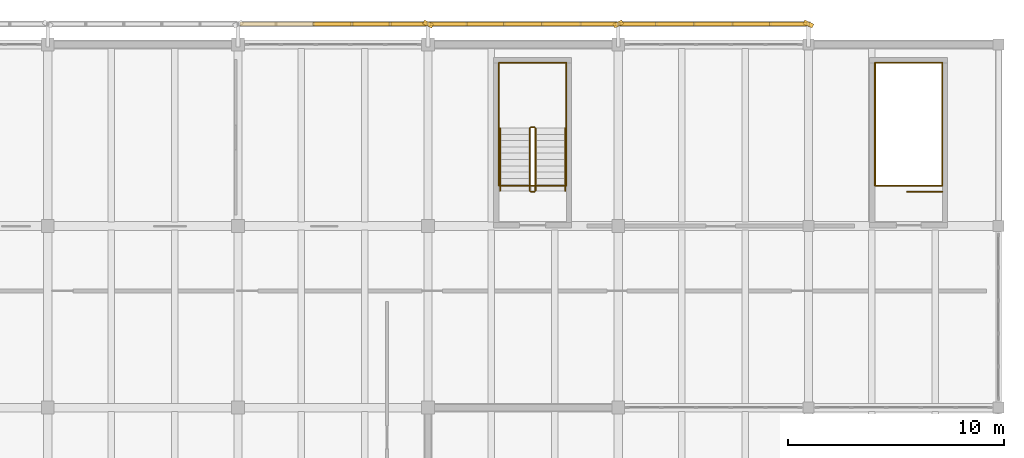
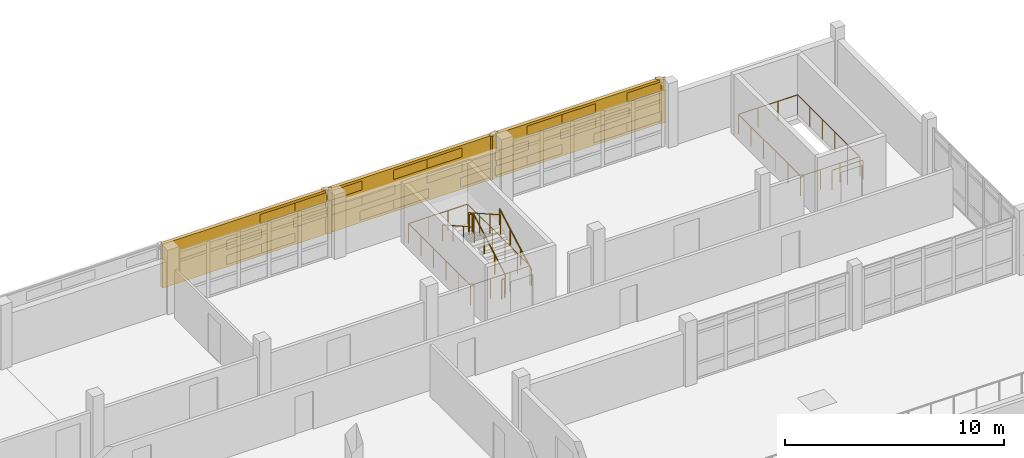
# One storey, part 50 of 50: 29 coverings, 15 railings, 3 shading devices.
"""IFC4 building model written with IfcOpenShell, lengths in metres."""

from ifc_helpers import new_model, si_unit, direction, frame, origin, origin_2d, place, context, subcontext, project, spatial, rectangle, circle, extrude, material, layer, layer_set, type_object, element, save


model = new_model("IFC4")

# Units and contexts
model_context = context("Model", 3, precision=1e-05, world=origin(), true_north=direction((0.0, 1.0)))
body_context = subcontext(model_context, "Body", "Model", "MODEL_VIEW")
ifc_project = project(units=[si_unit("LENGTHUNIT", "METRE"), si_unit("AREAUNIT", "SQUARE_METRE"), si_unit("VOLUMEUNIT", "CUBIC_METRE"), si_unit("PLANEANGLEUNIT", "RADIAN"), si_unit("MASSUNIT", "GRAM", prefix="KILO")], contexts=[model_context])

# Site, building, storey
site_placement = place(None, origin())
site = spatial("IfcSite", under=ifc_project, at=site_placement, CompositionType="ELEMENT")
building_placement = place(site_placement, origin())
building = spatial("IfcBuilding", under=site, at=building_placement, Name="Cinderway Yard Community Centre", CompositionType="ELEMENT")
storey_placement = place(building_placement, frame((0.0, 0.0, 12.89990234375)))
storey = spatial("IfcBuildingStorey", under=building, at=storey_placement, Name="L03", CompositionType="ELEMENT", Elevation=12.89990234375)

# Coverings
ifc_material_1 = material(Name="Brick Masonry", Category="masonry")
ifc_layer = layer(ifc_material_1, 0.18994140625, Name="Brick Masonry")
ifc_layer_set = layer_set([ifc_layer], Name="Brick Masonry")
covering_type = type_object("IfcCoveringType", Name="ENV-COV-BRK-SCREEN", PredefinedType="CLADDING", material=ifc_layer_set)
for number, where, z_axis, x_axis, name in (
    (1, (110.39990234375, 116.14990234375, 0.64990234375), (0.0, 0.0, 1.0), (0.913545457643, -0.406736643076, 0.0), "Deconstructivist folded brick fin 0263"),
    (2, (119.199951171875, 116.14990234375, 0.64990234375), (0.0, 0.0, 1.0), (0.913545457643, 0.406736643076, 0.0), "Deconstructivist folded brick fin 0264"),
    (3, (128.0, 116.14990234375, 0.64990234375), (0.0, 0.0, 1.0), (0.913545457643, -0.406736643076, 0.0), "Deconstructivist folded brick fin 0265"),
):
    element("IfcCovering", number, at=place(storey_placement, frame(where, z_axis=z_axis, x_axis=x_axis)), inside=storey, type_object=covering_type, Name=name, PredefinedType="CLADDING", context=body_context, shape_type="SweptSolid", body=[
        extrude(rectangle(XDim=0.4599609375, YDim=0.199951171875, at=origin_2d()), origin(), (0.0, 0.0, 1.0), 2.449951171875),
    ])
for number, where, z_axis, x_axis, name in (
    (4, (106.0, 116.14990234375, 0.7900390625), (0.0, 0.0, 1.0), (1.0, 0.0, 0.0), "Open-bond perforated brick screen course 00327"),
    (5, (107.760009765625, 116.14990234375, 0.7900390625), (0.0, 0.0, 1.0), (1.0, 0.0, 0.0), "Open-bond perforated brick screen course 00328"),
    (6, (106.0, 116.14990234375, 1.62109375), (0.0, 0.0, 1.0), (1.0, 0.0, 0.0), "Open-bond perforated brick screen course 00330"),
    (7, (109.52001953125, 116.14990234375, 1.62109375), (0.0, 0.0, 1.0), (1.0, 0.0, 0.0), "Open-bond perforated brick screen course 00331"),
    (8, (107.760009765625, 116.14990234375, 2.4521484375), (0.0, 0.0, 1.0), (1.0, 0.0, 0.0), "Open-bond perforated brick screen course 00334"),
    (9, (109.52001953125, 116.14990234375, 2.4521484375), (0.0, 0.0, 1.0), (1.0, 0.0, 0.0), "Open-bond perforated brick screen course 00335"),
    (10, (113.0400390625, 116.14990234375, 0.7900390625), (0.0, 0.0, 1.0), (1.0, 0.0, 0.0), "Open-bond perforated brick screen course 00336"),
    (11, (114.800048828125, 116.14990234375, 0.7900390625), (0.0, 0.0, 1.0), (1.0, 0.0, 0.0), "Open-bond perforated brick screen course 00337"),
    (12, (118.320068359375, 116.14990234375, 0.7900390625), (0.0, 0.0, 1.0), (1.0, 0.0, 0.0), "Open-bond perforated brick screen course 00338"),
    (13, (111.280029296875, 116.14990234375, 1.62109375), (0.0, 0.0, 1.0), (1.0, 0.0, 0.0), "Open-bond perforated brick screen course 00339"),
    (14, (113.0400390625, 116.14990234375, 1.62109375), (0.0, 0.0, 1.0), (1.0, 0.0, 0.0), "Open-bond perforated brick screen course 00340"),
    (15, (116.56005859375, 116.14990234375, 1.62109375), (0.0, 0.0, 1.0), (1.0, 0.0, 0.0), "Open-bond perforated brick screen course 00341"),
    (16, (118.320068359375, 116.14990234375, 1.62109375), (0.0, 0.0, 1.0), (1.0, 0.0, 0.0), "Open-bond perforated brick screen course 00342"),
    (17, (111.280029296875, 116.14990234375, 2.4521484375), (0.0, 0.0, 1.0), (1.0, 0.0, 0.0), "Open-bond perforated brick screen course 00343"),
    (18, (114.800048828125, 116.14990234375, 2.4521484375), (0.0, 0.0, 1.0), (1.0, 0.0, 0.0), "Open-bond perforated brick screen course 00344"),
    (19, (116.56005859375, 116.14990234375, 2.4521484375), (0.0, 0.0, 1.0), (1.0, 0.0, 0.0), "Open-bond perforated brick screen course 00345"),
    (20, (120.080078125, 116.14990234375, 0.7900390625), (0.0, 0.0, 1.0), (1.0, 0.0, 0.0), "Open-bond perforated brick screen course 00346"),
    (21, (121.840087890625, 116.14990234375, 0.7900390625), (0.0, 0.0, 1.0), (1.0, 0.0, 0.0), "Open-bond perforated brick screen course 00347"),
    (22, (125.360107421875, 116.14990234375, 0.7900390625), (0.0, 0.0, 1.0), (1.0, 0.0, 0.0), "Open-bond perforated brick screen course 00348"),
    (23, (127.1201171875, 116.14990234375, 0.7900390625), (0.0, 0.0, 1.0), (1.0, 0.0, 0.0), "Open-bond perforated brick screen course 00349"),
    (24, (120.080078125, 116.14990234375, 1.62109375), (0.0, 0.0, 1.0), (1.0, 0.0, 0.0), "Open-bond perforated brick screen course 00350"),
    (25, (123.60009765625, 116.14990234375, 1.62109375), (0.0, 0.0, 1.0), (1.0, 0.0, 0.0), "Open-bond perforated brick screen course 00351"),
    (26, (125.360107421875, 116.14990234375, 1.62109375), (0.0, 0.0, 1.0), (1.0, 0.0, 0.0), "Open-bond perforated brick screen course 00352"),
    (27, (121.840087890625, 116.14990234375, 2.4521484375), (0.0, 0.0, 1.0), (1.0, 0.0, 0.0), "Open-bond perforated brick screen course 00353"),
    (28, (123.60009765625, 116.14990234375, 2.4521484375), (0.0, 0.0, 1.0), (1.0, 0.0, 0.0), "Open-bond perforated brick screen course 00354"),
    (29, (127.1201171875, 116.14990234375, 2.4521484375), (0.0, 0.0, 1.0), (1.0, 0.0, 0.0), "Open-bond perforated brick screen course 00355"),
):
    element("IfcCovering", number, at=place(storey_placement, frame(where, z_axis=z_axis, x_axis=x_axis)), inside=storey, type_object=covering_type, Name=name, PredefinedType="CLADDING", context=body_context, shape_type="SweptSolid", body=[
        extrude(rectangle(XDim=1.840087890625, YDim=0.18994140625, at=origin_2d()), origin(), (0.0, 0.0, 1.0), 0.508056640625),
    ])

# Shading devices
shading_device_type = type_object("IfcShadingDeviceType", Name="ENV-SHD-BRICKSCREEN-A", PredefinedType="USERDEFINED", material=ifc_material_1)
for number, where, z_axis, x_axis, name in (
    (30, (106.0, 116.14990234375, 0.64990234375), (0.0, 0.0, 1.0), (1.0, 0.0, 0.0), "Street Perforated Brick Screen 0243"),
    (31, (114.800048828125, 116.14990234375, 0.64990234375), (0.0, 0.0, 1.0), (1.0, 0.0, 0.0), "Street Perforated Brick Screen 0251"),
    (32, (123.60009765625, 116.14990234375, 0.64990234375), (0.0, 0.0, 1.0), (1.0, 0.0, 0.0), "Street Perforated Brick Screen 0259"),
):
    element("IfcShadingDevice", number, at=place(storey_placement, frame(where, z_axis=z_axis, x_axis=x_axis)), inside=storey, type_object=shading_device_type, Name=name, ObjectType="PERFORATED BRICK SCREEN", PredefinedType="USERDEFINED", context=body_context, shape_type="SweptSolid", body=[
        extrude(rectangle(XDim=8.60009765625, YDim=0.18994140625, at=origin_2d()), origin(), (0.0, 0.0, 1.0), 2.449951171875),
    ])

# Railings
ifc_material_2 = material(Name="Painted Galvanised Steel", Category="steel")
railing_type_1 = type_object("IfcRailingType", Name="INT-RAL-GRD112", PredefinedType="GUARDRAIL", material=ifc_material_2)
railing_1_placement = place(storey_placement, frame((115.3701171875, 108.429931640625, 0.163818359375)))
element("IfcRailing", 33, at=railing_1_placement, inside=storey, type_object=railing_type_1, Name="L03 ST-03 stair guard 1", PredefinedType="GUARDRAIL", context=body_context, shape_type="SweptSolid", body=[
    extrude(circle(Radius=0.02392578125, at=origin_2d()), frame((0.0, 0.0, 1.076171875), z_axis=(0.0, 0.870946286338, 0.49137823142), x_axis=(-1.0, 0.0, 0.0)), (0.0, 0.0, 1.0), 3.329833984375),
    extrude(circle(Radius=0.02099609375, at=origin_2d()), origin(), (0.0, 0.0, 1.0), 1.052001953125),
    extrude(circle(Radius=0.02099609375, at=origin_2d()), frame((0.0, 0.966796875, 0.54541015625)), (0.0, 0.0, 1.0), 1.052001953125),
    extrude(circle(Radius=0.02099609375, at=origin_2d()), frame((0.0, 1.933349609375, 1.0908203125)), (0.0, 0.0, 1.0), 1.052001953125),
    extrude(circle(Radius=0.02099609375, at=origin_2d()), frame((0.0, 2.900146484375, 1.63623046875)), (0.0, 0.0, 1.0), 1.052001953125),
])
railing_2_placement = place(storey_placement, frame((115.320068359375, 111.3798828125, 1.800048828125)))
element("IfcRailing", 34, at=railing_2_placement, inside=storey, type_object=railing_type_1, Name="L03 ST-03 stair guard 2", PredefinedType="GUARDRAIL", context=body_context, shape_type="SweptSolid", body=[
    extrude(circle(Radius=0.02392578125, at=origin_2d()), frame((0.0, 0.0, 1.076171875), z_axis=(-1.0, 0.0, 0.0), x_axis=(0.0, -1.0, 0.0)), (0.0, 0.0, 1.0), 0.16015625),
    extrude(circle(Radius=0.02099609375, at=origin_2d()), origin(), (0.0, 0.0, 1.0), 1.052001953125),
    extrude(circle(Radius=0.02099609375, at=origin_2d()), frame((-0.16015625, 0.0, 0.0)), (0.0, 0.0, 1.0), 1.052001953125),
])
railing_3_placement = place(storey_placement, frame((115.110107421875, 111.330078125, 1.963623046875)))
element("IfcRailing", 35, at=railing_3_placement, inside=storey, type_object=railing_type_1, Name="L03 ST-03 stair guard 3", PredefinedType="GUARDRAIL", context=body_context, shape_type="SweptSolid", body=[
    extrude(circle(Radius=0.02392578125, at=origin_2d()), frame((0.0, 0.0, 1.076171875), z_axis=(0.0, -0.870914908162, 0.491433843708), x_axis=(1.0, 0.0, 0.0)), (0.0, 0.0, 1.0), 3.330078125),
    extrude(circle(Radius=0.02099609375, at=origin_2d()), origin(), (0.0, 0.0, 1.0), 1.052001953125),
    extrude(circle(Radius=0.02099609375, at=origin_2d()), frame((0.0, -0.966796875, 0.54541015625)), (0.0, 0.0, 1.0), 1.052001953125),
    extrude(circle(Radius=0.02099609375, at=origin_2d()), frame((0.0, -1.933349609375, 1.091064453125)), (0.0, 0.0, 1.0), 1.052001953125),
    extrude(circle(Radius=0.02099609375, at=origin_2d()), frame((0.0, -2.900146484375, 1.636474609375)), (0.0, 0.0, 1.0), 1.052001953125),
])
railing_4_placement = place(storey_placement, frame((115.320068359375, 108.3798828125, 0.0)))
element("IfcRailing", 36, at=railing_4_placement, inside=storey, type_object=railing_type_1, Name="L03 ST-03 stair guard 4", PredefinedType="GUARDRAIL", context=body_context, shape_type="SweptSolid", body=[
    extrude(circle(Radius=0.02392578125, at=origin_2d()), frame((0.0, 0.0, 1.076171875), z_axis=(-1.0, 0.0, 0.0), x_axis=(0.0, -1.0, 0.0)), (0.0, 0.0, 1.0), 0.16015625),
    extrude(circle(Radius=0.02099609375, at=origin_2d()), origin(), (0.0, 0.0, 1.0), 1.052001953125),
    extrude(circle(Radius=0.02099609375, at=origin_2d()), frame((-0.16015625, 0.0, 0.0)), (0.0, 0.0, 1.0), 1.052001953125),
])
railing_5_placement = place(storey_placement, frame((134.199951171875, 108.3798828125, 0.0)))
element("IfcRailing", 37, at=railing_5_placement, inside=storey, type_object=railing_type_1, Name="L03 ST-04 top well guard 1", PredefinedType="GUARDRAIL", context=body_context, shape_type="SweptSolid", body=[
    extrude(circle(Radius=0.02392578125, at=origin_2d()), frame((0.0, 0.0, 1.076171875), z_axis=(-1.0, 0.0, 0.0), x_axis=(0.0, -1.0, 0.0)), (0.0, 0.0, 1.0), 1.639892578125),
    extrude(circle(Radius=0.02099609375, at=origin_2d()), origin(), (0.0, 0.0, 1.0), 1.052001953125),
    extrude(circle(Radius=0.02099609375, at=origin_2d()), frame((-0.81982421875, 0.0, 0.0)), (0.0, 0.0, 1.0), 1.052001953125),
    extrude(circle(Radius=0.02099609375, at=origin_2d()), frame((-1.639892578125, 0.0, 0.0)), (0.0, 0.0, 1.0), 1.052001953125),
])
railing_6_placement = place(storey_placement, frame((116.800048828125, 108.669921875, 0.0)))
element("IfcRailing", 38, at=railing_6_placement, inside=storey, type_object=railing_type_1, Name="Service void perimeter guard L03 183", PredefinedType="GUARDRAIL", context=body_context, shape_type="SweptSolid", body=[
    extrude(circle(Radius=0.02392578125, at=origin_2d()), frame((0.0, 0.0, 1.09619140625), z_axis=(0.0, 1.0, 0.0), x_axis=(-1.0, 0.0, 0.0)), (0.0, 0.0, 1.0), 5.68017578125),
    extrude(circle(Radius=0.02099609375, at=origin_2d()), origin(), (0.0, 0.0, 1.0), 1.072021484375),
    extrude(circle(Radius=0.02099609375, at=origin_2d()), frame((0.0, 1.135986328125, 0.0)), (0.0, 0.0, 1.0), 1.072021484375),
    extrude(circle(Radius=0.02099609375, at=origin_2d()), frame((0.0, 2.27197265625, 0.0)), (0.0, 0.0, 1.0), 1.072021484375),
    extrude(circle(Radius=0.02099609375, at=origin_2d()), frame((0.0, 3.408203125, 0.0)), (0.0, 0.0, 1.0), 1.072021484375),
    extrude(circle(Radius=0.02099609375, at=origin_2d()), frame((0.0, 4.544189453125, 0.0)), (0.0, 0.0, 1.0), 1.072021484375),
    extrude(circle(Radius=0.02099609375, at=origin_2d()), frame((0.0, 5.68017578125, 0.0)), (0.0, 0.0, 1.0), 1.072021484375),
])
railing_7_placement = place(storey_placement, frame((116.800048828125, 114.35009765625, 0.0)))
element("IfcRailing", 39, at=railing_7_placement, inside=storey, type_object=railing_type_1, Name="Service void perimeter guard L03 184", PredefinedType="GUARDRAIL", context=body_context, shape_type="SweptSolid", body=[
    extrude(circle(Radius=0.02392578125, at=origin_2d()), frame((0.0, 0.0, 1.09619140625), z_axis=(-1.0, 0.0, 0.0), x_axis=(0.0, -1.0, 0.0)), (0.0, 0.0, 1.0), 3.1201171875),
    extrude(circle(Radius=0.02099609375, at=origin_2d()), origin(), (0.0, 0.0, 1.0), 1.072021484375),
    extrude(circle(Radius=0.02099609375, at=origin_2d()), frame((-1.0400390625, 0.0, 0.0)), (0.0, 0.0, 1.0), 1.072021484375),
    extrude(circle(Radius=0.02099609375, at=origin_2d()), frame((-2.080078125, 0.0, 0.0)), (0.0, 0.0, 1.0), 1.072021484375),
    extrude(circle(Radius=0.02099609375, at=origin_2d()), frame((-3.1201171875, 0.0, 0.0)), (0.0, 0.0, 1.0), 1.072021484375),
])
railing_8_placement = place(storey_placement, frame((113.679931640625, 114.35009765625, 0.0)))
element("IfcRailing", 40, at=railing_8_placement, inside=storey, type_object=railing_type_1, Name="Service void perimeter guard L03 185", PredefinedType="GUARDRAIL", context=body_context, shape_type="SweptSolid", body=[
    extrude(circle(Radius=0.02392578125, at=origin_2d()), frame((0.0, 0.0, 1.09619140625), z_axis=(0.0, -1.0, 0.0), x_axis=(1.0, 0.0, 0.0)), (0.0, 0.0, 1.0), 5.68017578125),
    extrude(circle(Radius=0.02099609375, at=origin_2d()), origin(), (0.0, 0.0, 1.0), 1.072021484375),
    extrude(circle(Radius=0.02099609375, at=origin_2d()), frame((0.0, -1.135986328125, 0.0)), (0.0, 0.0, 1.0), 1.072021484375),
    extrude(circle(Radius=0.02099609375, at=origin_2d()), frame((0.0, -2.27197265625, 0.0)), (0.0, 0.0, 1.0), 1.072021484375),
    extrude(circle(Radius=0.02099609375, at=origin_2d()), frame((0.0, -3.408203125, 0.0)), (0.0, 0.0, 1.0), 1.072021484375),
    extrude(circle(Radius=0.02099609375, at=origin_2d()), frame((0.0, -4.544189453125, 0.0)), (0.0, 0.0, 1.0), 1.072021484375),
    extrude(circle(Radius=0.02099609375, at=origin_2d()), frame((0.0, -5.68017578125, 0.0)), (0.0, 0.0, 1.0), 1.072021484375),
])
railing_9_placement = place(storey_placement, frame((113.679931640625, 108.669921875, 0.0)))
element("IfcRailing", 41, at=railing_9_placement, inside=storey, type_object=railing_type_1, Name="Service void perimeter guard L03 186", PredefinedType="GUARDRAIL", context=body_context, shape_type="SweptSolid", body=[
    extrude(circle(Radius=0.02392578125, at=origin_2d()), frame((0.0, 0.0, 1.09619140625), z_axis=(1.0, 0.0, 0.0), x_axis=(0.0, 1.0, 0.0)), (0.0, 0.0, 1.0), 3.1201171875),
    extrude(circle(Radius=0.02099609375, at=origin_2d()), origin(), (0.0, 0.0, 1.0), 1.072021484375),
    extrude(circle(Radius=0.02099609375, at=origin_2d()), frame((1.0400390625, 0.0, 0.0)), (0.0, 0.0, 1.0), 1.072021484375),
    extrude(circle(Radius=0.02099609375, at=origin_2d()), frame((2.080078125, 0.0, 0.0)), (0.0, 0.0, 1.0), 1.072021484375),
    extrude(circle(Radius=0.02099609375, at=origin_2d()), frame((3.1201171875, 0.0, 0.0)), (0.0, 0.0, 1.0), 1.072021484375),
])
railing_10_placement = place(storey_placement, frame((134.199951171875, 108.669921875, 0.0)))
element("IfcRailing", 42, at=railing_10_placement, inside=storey, type_object=railing_type_1, Name="Service void perimeter guard L03 187", PredefinedType="GUARDRAIL", context=body_context, shape_type="SweptSolid", body=[
    extrude(circle(Radius=0.02392578125, at=origin_2d()), frame((0.0, 0.0, 1.09619140625), z_axis=(0.0, 1.0, 0.0), x_axis=(-1.0, 0.0, 0.0)), (0.0, 0.0, 1.0), 5.68017578125),
    extrude(circle(Radius=0.02099609375, at=origin_2d()), origin(), (0.0, 0.0, 1.0), 1.072021484375),
    extrude(circle(Radius=0.02099609375, at=origin_2d()), frame((0.0, 1.135986328125, 0.0)), (0.0, 0.0, 1.0), 1.072021484375),
    extrude(circle(Radius=0.02099609375, at=origin_2d()), frame((0.0, 2.27197265625, 0.0)), (0.0, 0.0, 1.0), 1.072021484375),
    extrude(circle(Radius=0.02099609375, at=origin_2d()), frame((0.0, 3.408203125, 0.0)), (0.0, 0.0, 1.0), 1.072021484375),
    extrude(circle(Radius=0.02099609375, at=origin_2d()), frame((0.0, 4.544189453125, 0.0)), (0.0, 0.0, 1.0), 1.072021484375),
    extrude(circle(Radius=0.02099609375, at=origin_2d()), frame((0.0, 5.68017578125, 0.0)), (0.0, 0.0, 1.0), 1.072021484375),
])
railing_11_placement = place(storey_placement, frame((134.199951171875, 114.35009765625, 0.0)))
element("IfcRailing", 43, at=railing_11_placement, inside=storey, type_object=railing_type_1, Name="Service void perimeter guard L03 188", PredefinedType="GUARDRAIL", context=body_context, shape_type="SweptSolid", body=[
    extrude(circle(Radius=0.02392578125, at=origin_2d()), frame((0.0, 0.0, 1.09619140625), z_axis=(-1.0, 0.0, 0.0), x_axis=(0.0, -1.0, 0.0)), (0.0, 0.0, 1.0), 3.119873046875),
    extrude(circle(Radius=0.02099609375, at=origin_2d()), origin(), (0.0, 0.0, 1.0), 1.072021484375),
    extrude(circle(Radius=0.02099609375, at=origin_2d()), frame((-1.0400390625, 0.0, 0.0)), (0.0, 0.0, 1.0), 1.072021484375),
    extrude(circle(Radius=0.02099609375, at=origin_2d()), frame((-2.079833984375, 0.0, 0.0)), (0.0, 0.0, 1.0), 1.072021484375),
    extrude(circle(Radius=0.02099609375, at=origin_2d()), frame((-3.119873046875, 0.0, 0.0)), (0.0, 0.0, 1.0), 1.072021484375),
])
railing_12_placement = place(storey_placement, frame((131.080078125, 114.35009765625, 0.0)))
element("IfcRailing", 44, at=railing_12_placement, inside=storey, type_object=railing_type_1, Name="Service void perimeter guard L03 189", PredefinedType="GUARDRAIL", context=body_context, shape_type="SweptSolid", body=[
    extrude(circle(Radius=0.02392578125, at=origin_2d()), frame((0.0, 0.0, 1.09619140625), z_axis=(0.0, -1.0, 0.0), x_axis=(1.0, 0.0, 0.0)), (0.0, 0.0, 1.0), 5.68017578125),
    extrude(circle(Radius=0.02099609375, at=origin_2d()), origin(), (0.0, 0.0, 1.0), 1.072021484375),
    extrude(circle(Radius=0.02099609375, at=origin_2d()), frame((0.0, -1.135986328125, 0.0)), (0.0, 0.0, 1.0), 1.072021484375),
    extrude(circle(Radius=0.02099609375, at=origin_2d()), frame((0.0, -2.27197265625, 0.0)), (0.0, 0.0, 1.0), 1.072021484375),
    extrude(circle(Radius=0.02099609375, at=origin_2d()), frame((0.0, -3.408203125, 0.0)), (0.0, 0.0, 1.0), 1.072021484375),
    extrude(circle(Radius=0.02099609375, at=origin_2d()), frame((0.0, -4.544189453125, 0.0)), (0.0, 0.0, 1.0), 1.072021484375),
    extrude(circle(Radius=0.02099609375, at=origin_2d()), frame((0.0, -5.68017578125, 0.0)), (0.0, 0.0, 1.0), 1.072021484375),
])
railing_13_placement = place(storey_placement, frame((131.080078125, 108.669921875, 0.0)))
element("IfcRailing", 45, at=railing_13_placement, inside=storey, type_object=railing_type_1, Name="Service void perimeter guard L03 190", PredefinedType="GUARDRAIL", context=body_context, shape_type="SweptSolid", body=[
    extrude(circle(Radius=0.02392578125, at=origin_2d()), frame((0.0, 0.0, 1.09619140625), z_axis=(1.0, 0.0, 0.0), x_axis=(0.0, 1.0, 0.0)), (0.0, 0.0, 1.0), 3.119873046875),
    extrude(circle(Radius=0.02099609375, at=origin_2d()), origin(), (0.0, 0.0, 1.0), 1.072021484375),
    extrude(circle(Radius=0.02099609375, at=origin_2d()), frame((1.0400390625, 0.0, 0.0)), (0.0, 0.0, 1.0), 1.072021484375),
    extrude(circle(Radius=0.02099609375, at=origin_2d()), frame((2.079833984375, 0.0, 0.0)), (0.0, 0.0, 1.0), 1.072021484375),
    extrude(circle(Radius=0.02099609375, at=origin_2d()), frame((3.119873046875, 0.0, 0.0)), (0.0, 0.0, 1.0), 1.072021484375),
])
railing_type_2 = type_object("IfcRailingType", Name="INT-RAL-HND090", PredefinedType="HANDRAIL", material=ifc_material_2)
railing_14_placement = place(storey_placement, frame((116.75, 108.429931640625, 0.163818359375)))
element("IfcRailing", 46, at=railing_14_placement, inside=storey, type_object=railing_type_2, Name="L03 ST-03 stair handrail 1", PredefinedType="HANDRAIL", context=body_context, shape_type="SweptSolid", body=[
    extrude(circle(Radius=0.02392578125, at=origin_2d()), frame((0.0, 0.0, 0.8759765625), z_axis=(0.0, 0.870946286338, 0.49137823142), x_axis=(-1.0, 0.0, 0.0)), (0.0, 0.0, 1.0), 3.329833984375),
    extrude(circle(Radius=0.02099609375, at=origin_2d()), origin(), (0.0, 0.0, 1.0), 0.851806640625),
    extrude(circle(Radius=0.02099609375, at=origin_2d()), frame((0.0, 0.966796875, 0.54541015625)), (0.0, 0.0, 1.0), 0.851806640625),
    extrude(circle(Radius=0.02099609375, at=origin_2d()), frame((0.0, 1.933349609375, 1.0908203125)), (0.0, 0.0, 1.0), 0.851806640625),
    extrude(circle(Radius=0.02099609375, at=origin_2d()), frame((0.0, 2.900146484375, 1.63623046875)), (0.0, 0.0, 1.0), 0.851806640625),
])
railing_15_placement = place(storey_placement, frame((113.72998046875, 111.330078125, 1.963623046875)))
element("IfcRailing", 47, at=railing_15_placement, inside=storey, type_object=railing_type_2, Name="L03 ST-03 stair handrail 2", PredefinedType="HANDRAIL", context=body_context, shape_type="SweptSolid", body=[
    extrude(circle(Radius=0.02392578125, at=origin_2d()), frame((0.0, 0.0, 0.8759765625), z_axis=(0.0, -0.870914908162, 0.491433843708), x_axis=(1.0, 0.0, 0.0)), (0.0, 0.0, 1.0), 3.330078125),
    extrude(circle(Radius=0.02099609375, at=origin_2d()), origin(), (0.0, 0.0, 1.0), 0.851806640625),
    extrude(circle(Radius=0.02099609375, at=origin_2d()), frame((0.0, -0.966796875, 0.54541015625)), (0.0, 0.0, 1.0), 0.851806640625),
    extrude(circle(Radius=0.02099609375, at=origin_2d()), frame((0.0, -1.933349609375, 1.091064453125)), (0.0, 0.0, 1.0), 0.851806640625),
    extrude(circle(Radius=0.02099609375, at=origin_2d()), frame((0.0, -2.900146484375, 1.636474609375)), (0.0, 0.0, 1.0), 0.851806640625),
])

save(model, "model.ifc")
